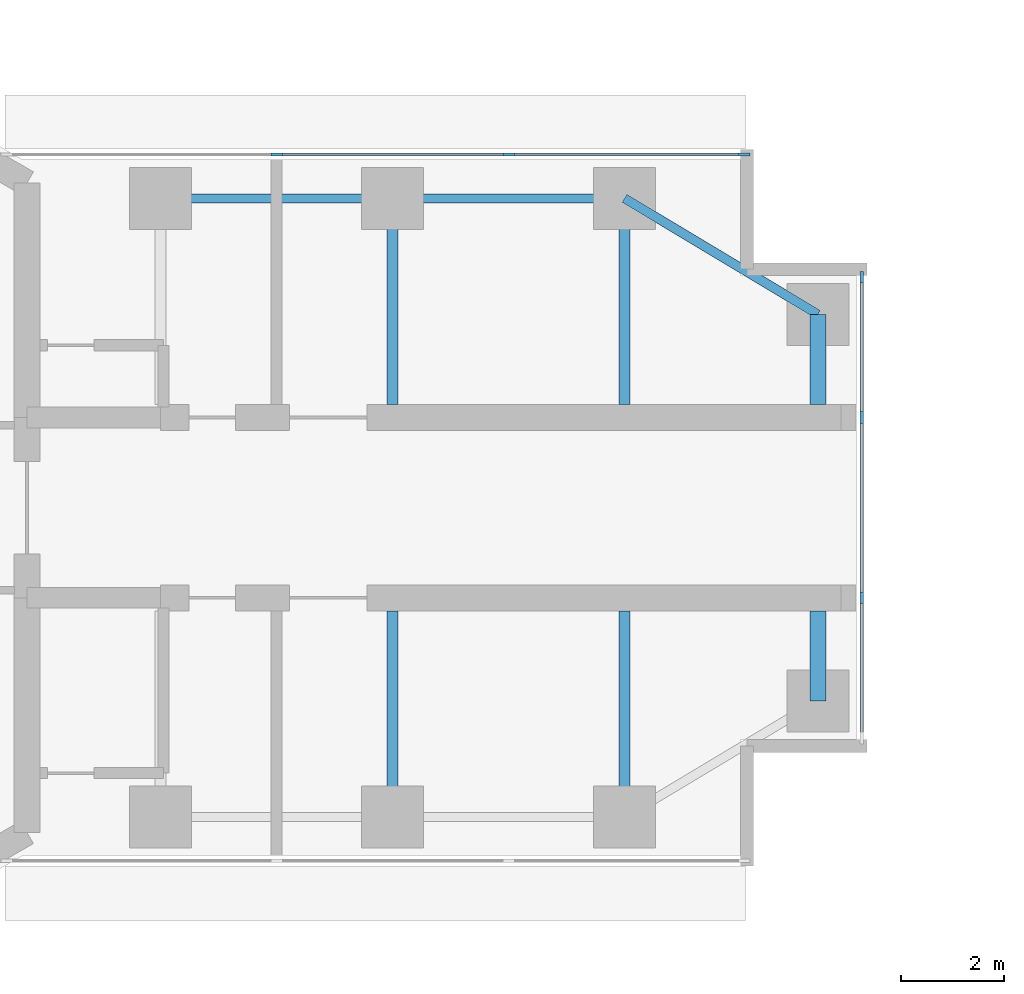
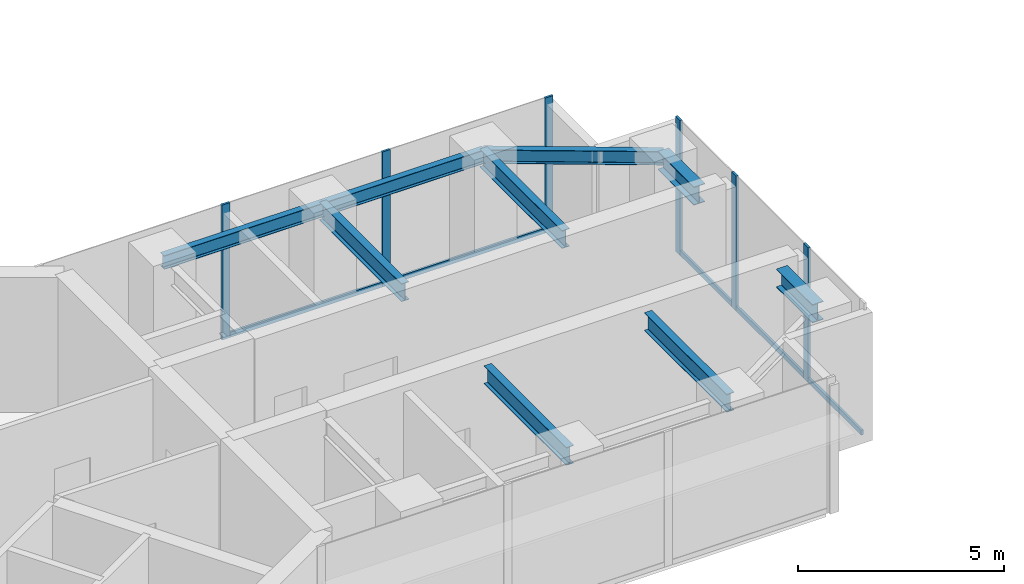
# One storey, part 7 of 17: 11 members, 9 beams, 2 elements without a shape of their own.
"""IFC4 building model written with IfcOpenShell, lengths in metres."""

from ifc_helpers import new_model, si_unit, direction, frame, origin, origin_2d, place, context, subcontext, project, spatial, rectangle, i_section, extrude, material, material_profile, profile_set, type_object, element, aggregate, save


model = new_model("IFC4")

# Units and contexts
model_context = context("Model", 3, precision=1e-05, world=origin(), true_north=direction((0.0, 1.0)))
body_context = subcontext(model_context, "Body", "Model", "MODEL_VIEW")
ifc_project = project(units=[si_unit("LENGTHUNIT", "METRE"), si_unit("AREAUNIT", "SQUARE_METRE"), si_unit("VOLUMEUNIT", "CUBIC_METRE"), si_unit("PLANEANGLEUNIT", "RADIAN"), si_unit("MASSUNIT", "GRAM", prefix="KILO")], contexts=[model_context])

# Site, building, storey
site_placement = place(None, origin())
site = spatial("IfcSite", under=ifc_project, at=site_placement, CompositionType="ELEMENT")
building_placement = place(site_placement, origin())
building = spatial("IfcBuilding", under=site, at=building_placement, Name="Upepo Twin Towers", CompositionType="ELEMENT")
storey_placement = place(building_placement, frame((0.0, 0.0, 182.5)))
storey = spatial("IfcBuildingStorey", under=building, at=storey_placement, Name="L44", CompositionType="ELEMENT", Elevation=182.5)

# Beams
ifc_material_1 = material(Name="Steel S355", Category="steel")
ifc_material_profile_1 = material_profile(ifc_material_1, i_section(OverallWidth=0.177978515625, OverallDepth=0.406494140625, WebThickness=0.0078125, FlangeThickness=0.0126953125, FilletRadius=0.01025390625, at=origin_2d()), Name="UB 406x178x60")
ifc_profile_set_1 = profile_set([ifc_material_profile_1], Name="Steel S355")
beam_type_1 = type_object("IfcBeamType", Name="Beam UB 406x178x60", PredefinedType="BEAM", material=ifc_profile_set_1)
for number, where, z_axis, x_axis, name in (
    (1, (13.5, 6.0, 3.5966796875), (1.0, 0.0, 0.0), (0.0, 1.0, 0.0), "T1 edge beam AL 13.5-18.0"),
    (2, (18.0, 6.0, 3.5966796875), (1.0, 0.0, 0.0), (0.0, 1.0, 0.0), "T1 edge beam AL 18.0-22.5"),
):
    element("IfcBeam", number, at=place(storey_placement, frame(where, z_axis=z_axis, x_axis=x_axis)), inside=storey, type_object=beam_type_1, Name=name, PredefinedType="BEAM", context=body_context, shape_type="SweptSolid", body=[
        extrude(i_section(OverallWidth=0.177978515625, OverallDepth=0.406494140625, WebThickness=0.0078125, FlangeThickness=0.0126953125, FilletRadius=0.01025390625, at=origin_2d()), origin(), (0.0, 0.0, 1.0), 4.5),
    ])
beam_placement = place(storey_placement, frame((22.5, 6.0, 3.5966796875), z_axis=(0.857492925713, -0.514495755428, 0.0), x_axis=(0.514495755428, 0.857492925713, 0.0)))
element("IfcBeam", 3, at=beam_placement, inside=storey, type_object=beam_type_1, Name="T1 nose edge beam AL", PredefinedType="BEAM", context=body_context, shape_type="SweptSolid", body=[
    extrude(i_section(OverallWidth=0.177978515625, OverallDepth=0.406494140625, WebThickness=0.0078125, FlangeThickness=0.0126953125, FilletRadius=0.01025390625, at=origin_2d()), origin(), (0.0, 0.0, 1.0), 4.373291015625),
])
ifc_material_2 = material(Name="Steel S355", Category="steel")
ifc_material_profile_2 = material_profile(ifc_material_2, i_section(OverallWidth=0.209228515625, OverallDepth=0.533203125, WebThickness=0.010009765625, FlangeThickness=0.015625, FilletRadius=0.0126953125, at=origin_2d()), Name="UB 533x210x92")
ifc_profile_set_2 = profile_set([ifc_material_profile_2], Name="Steel S355")
beam_type_2 = type_object("IfcBeamType", Name="Beam UB 533x210x92", PredefinedType="BEAM", material=ifc_profile_set_2)
for number, where, z_axis, x_axis, name in (
    (4, (18.0, 6.0, 3.533447265625), (0.0, -1.0, 0.0), (1.0, 0.0, 0.0), "T1 girder AL at 18.0"),
    (5, (22.5, 6.0, 3.533447265625), (0.0, -1.0, 0.0), (1.0, 0.0, 0.0), "T1 girder AL at 22.5"),
    (6, (18.0, -6.0, 3.533447265625), (0.0, 1.0, 0.0), (-1.0, 0.0, 0.0), "T1 girder AR at 18.0"),
    (7, (22.5, -6.0, 3.533447265625), (0.0, 1.0, 0.0), (-1.0, 0.0, 0.0), "T1 girder AR at 22.5"),
):
    element("IfcBeam", number, at=place(storey_placement, frame(where, z_axis=z_axis, x_axis=x_axis)), inside=storey, type_object=beam_type_2, Name=name, PredefinedType="BEAM", context=body_context, shape_type="SweptSolid", body=[
        extrude(i_section(OverallWidth=0.209228515625, OverallDepth=0.533203125, WebThickness=0.010009765625, FlangeThickness=0.015625, FilletRadius=0.0126953125, at=origin_2d()), origin(), (0.0, 0.0, 1.0), 4.0),
    ])
ifc_material_3 = material(Name="Steel S355", Category="steel")
ifc_material_profile_3 = material_profile(ifc_material_3, i_section(OverallWidth=0.31201171875, OverallDepth=0.54345703125, WebThickness=0.0126953125, FlangeThickness=0.020263671875, FilletRadius=0.0126953125, at=origin_2d()), Name="UB 533x312x150")
ifc_profile_set_3 = profile_set([ifc_material_profile_3], Name="Steel S355")
beam_type_3 = type_object("IfcBeamType", Name="Beam UB 533x312x150", PredefinedType="BEAM", material=ifc_profile_set_3)
for number, where, z_axis, x_axis, name in (
    (8, (26.25, 3.75, 3.5283203125), (0.0, -1.0, 0.0), (1.0, 0.0, 0.0), "T1 nose beam AL"),
    (9, (26.25, -3.75, 3.5283203125), (0.0, 1.0, 0.0), (-1.0, 0.0, 0.0), "T1 nose beam AR"),
):
    element("IfcBeam", number, at=place(storey_placement, frame(where, z_axis=z_axis, x_axis=x_axis)), inside=storey, type_object=beam_type_3, Name=name, PredefinedType="BEAM", context=body_context, shape_type="SweptSolid", body=[
        extrude(i_section(OverallWidth=0.31201171875, OverallDepth=0.54345703125, WebThickness=0.0126953125, FlangeThickness=0.020263671875, FilletRadius=0.0126953125, at=origin_2d()), origin(), (0.0, 0.0, 1.0), 1.75),
    ])

# Curtain wall, members
ifc_material_4 = material(Name="Aluminium and fritted glass", Category="aluminium")
curtain_wall_type = type_object("IfcCurtainWallType", Name="Tower curtain wall TW3, fritted glass", PredefinedType="NOTDEFINED", material=ifc_material_4)
curtain_wall_1_placement = place(storey_placement, origin())
curtain_wall_1 = element("IfcCurtainWall", 10, at=curtain_wall_1_placement, inside=storey, type_object=curtain_wall_type, Name="T1 L44 wing A flank L curtain wall", PredefinedType="NOTDEFINED")
ifc_material_5 = material(Name="Aluminium mullion", Category="aluminium")
ifc_material_profile_4 = material_profile(ifc_material_5, rectangle(XDim=0.06494140625, YDim=0.22509765625, at=origin_2d()), Name="MULLION 65x225")
ifc_profile_set_4 = profile_set([ifc_material_profile_4], Name="Aluminium mullion")
member_type_1 = type_object("IfcMemberType", Name="Mullion 65x225 TW3", PredefinedType="MULLION", material=ifc_profile_set_4)
member_1_placement = place(storey_placement, frame((15.75, 6.85009765625, 0.0), z_axis=(0.0, 0.0, 1.0), x_axis=(0.0, 1.0, 0.0)))
member_1 = element("IfcMember", 11, at=member_1_placement, type_object=member_type_1, Name="T1 L44 wing A flank L curtain wall mullion 2", PredefinedType="MULLION", context=body_context, shape_type="SweptSolid", body=[
    extrude(rectangle(XDim=0.06494140625, YDim=0.22509765625, at=origin_2d()), origin(), (0.0, 0.0, 1.0), 4.0),
])
member_2_placement = place(storey_placement, frame((20.25, 6.85009765625, 0.0), z_axis=(0.0, 0.0, 1.0), x_axis=(0.0, 1.0, 0.0)))
member_2 = element("IfcMember", 12, at=member_2_placement, type_object=member_type_1, Name="T1 L44 wing A flank L curtain wall mullion 3", PredefinedType="MULLION", context=body_context, shape_type="SweptSolid", body=[
    extrude(rectangle(XDim=0.06494140625, YDim=0.22509765625, at=origin_2d()), origin(), (0.0, 0.0, 1.0), 4.0),
])
member_3_placement = place(storey_placement, frame((24.8173828125, 6.85009765625, 0.0), z_axis=(0.0, 0.0, 1.0), x_axis=(0.0, 1.0, 0.0)))
member_3 = element("IfcMember", 13, at=member_3_placement, type_object=member_type_1, Name="T1 L44 wing A flank L curtain wall mullion 4", PredefinedType="MULLION", context=body_context, shape_type="SweptSolid", body=[
    extrude(rectangle(XDim=0.06494140625, YDim=0.22509765625, at=origin_2d()), origin(), (0.0, 0.0, 1.0), 4.0),
])

curtain_wall_2_placement = place(storey_placement, origin())
curtain_wall_2 = element("IfcCurtainWall", 14, at=curtain_wall_2_placement, inside=storey, type_object=curtain_wall_type, Name="T1 L44 wing A nose curtain wall", PredefinedType="NOTDEFINED")
member_4_placement = place(storey_placement, frame((27.10009765625, -1.75, 0.0), z_axis=(0.0, 0.0, 1.0), x_axis=(-1.0, 0.0, 0.0)))
member_4 = element("IfcMember", 15, at=member_4_placement, type_object=member_type_1, Name="T1 L44 wing A nose curtain wall mullion 2", PredefinedType="MULLION", context=body_context, shape_type="SweptSolid", body=[
    extrude(rectangle(XDim=0.06494140625, YDim=0.22509765625, at=origin_2d()), origin(), (0.0, 0.0, 1.0), 4.0),
])
member_5_placement = place(storey_placement, frame((27.10009765625, 1.75, 0.0), z_axis=(0.0, 0.0, 1.0), x_axis=(-1.0, 0.0, 0.0)))
member_5 = element("IfcMember", 16, at=member_5_placement, type_object=member_type_1, Name="T1 L44 wing A nose curtain wall mullion 3", PredefinedType="MULLION", context=body_context, shape_type="SweptSolid", body=[
    extrude(rectangle(XDim=0.06494140625, YDim=0.22509765625, at=origin_2d()), origin(), (0.0, 0.0, 1.0), 4.0),
])
member_6_placement = place(storey_placement, frame((27.10009765625, 4.467529296875, 0.0), z_axis=(0.0, 0.0, 1.0), x_axis=(-1.0, 0.0, 0.0)))
member_6 = element("IfcMember", 17, at=member_6_placement, type_object=member_type_1, Name="T1 L44 wing A nose curtain wall mullion 4", PredefinedType="MULLION", context=body_context, shape_type="SweptSolid", body=[
    extrude(rectangle(XDim=0.06494140625, YDim=0.22509765625, at=origin_2d()), origin(), (0.0, 0.0, 1.0), 4.0),
])

# Member
ifc_material_6 = material(Name="Aluminium transom", Category="aluminium")
ifc_material_profile_5 = material_profile(ifc_material_6, rectangle(XDim=0.06494140625, YDim=0.14990234375, at=origin_2d()), Name="TRANSOM 65x150")
ifc_profile_set_5 = profile_set([ifc_material_profile_5], Name="Aluminium transom")
member_type_2 = type_object("IfcMemberType", Name="Transom 65x150 TW3", PredefinedType="USERDEFINED", material=ifc_profile_set_5)
member_7_placement = place(storey_placement, frame((15.782470703125, 6.85009765625, 0.074951171875), z_axis=(1.0, 0.0, 0.0), x_axis=(0.0, 1.0, 0.0)))
member_7 = element("IfcMember", 18, at=member_7_placement, type_object=member_type_2, Name="T1 L44 wing A flank L curtain wall transom 2", ObjectType="TRANSOM", PredefinedType="USERDEFINED", context=body_context, shape_type="SweptSolid", body=[
    extrude(rectangle(XDim=0.06494140625, YDim=0.14990234375, at=origin_2d()), origin(), (0.0, 0.0, 1.0), 4.43505859375),
])

member_8_placement = place(storey_placement, frame((20.282470703125, 6.85009765625, 0.074951171875), z_axis=(1.0, 0.0, 0.0), x_axis=(0.0, 1.0, 0.0)))
member_8 = element("IfcMember", 19, at=member_8_placement, type_object=member_type_2, Name="T1 L44 wing A flank L curtain wall transom 3", ObjectType="TRANSOM", PredefinedType="USERDEFINED", context=body_context, shape_type="SweptSolid", body=[
    extrude(rectangle(XDim=0.06494140625, YDim=0.14990234375, at=origin_2d()), origin(), (0.0, 0.0, 1.0), 4.50244140625),
])

aggregate(curtain_wall_1, [member_1, member_2, member_3, member_7, member_8])

member_9_placement = place(storey_placement, frame((27.10009765625, -4.43505859375, 0.074951171875), z_axis=(0.0, 1.0, 0.0), x_axis=(-1.0, 0.0, 0.0)))
member_9 = element("IfcMember", 20, at=member_9_placement, type_object=member_type_2, Name="T1 L44 wing A nose curtain wall transom 1", ObjectType="TRANSOM", PredefinedType="USERDEFINED", context=body_context, shape_type="SweptSolid", body=[
    extrude(rectangle(XDim=0.06494140625, YDim=0.14990234375, at=origin_2d()), origin(), (0.0, 0.0, 1.0), 2.652587890625),
])

member_10_placement = place(storey_placement, frame((27.10009765625, -1.717529296875, 0.074951171875), z_axis=(0.0, 1.0, 0.0), x_axis=(-1.0, 0.0, 0.0)))
member_10 = element("IfcMember", 21, at=member_10_placement, type_object=member_type_2, Name="T1 L44 wing A nose curtain wall transom 2", ObjectType="TRANSOM", PredefinedType="USERDEFINED", context=body_context, shape_type="SweptSolid", body=[
    extrude(rectangle(XDim=0.06494140625, YDim=0.14990234375, at=origin_2d()), origin(), (0.0, 0.0, 1.0), 3.43505859375),
])

member_11_placement = place(storey_placement, frame((27.10009765625, 1.782470703125, 0.074951171875), z_axis=(0.0, 1.0, 0.0), x_axis=(-1.0, 0.0, 0.0)))
member_11 = element("IfcMember", 22, at=member_11_placement, type_object=member_type_2, Name="T1 L44 wing A nose curtain wall transom 3", ObjectType="TRANSOM", PredefinedType="USERDEFINED", context=body_context, shape_type="SweptSolid", body=[
    extrude(rectangle(XDim=0.06494140625, YDim=0.14990234375, at=origin_2d()), origin(), (0.0, 0.0, 1.0), 2.652587890625),
])

aggregate(curtain_wall_2, [member_4, member_5, member_6, member_9, member_10, member_11])

save(model, "model.ifc")
